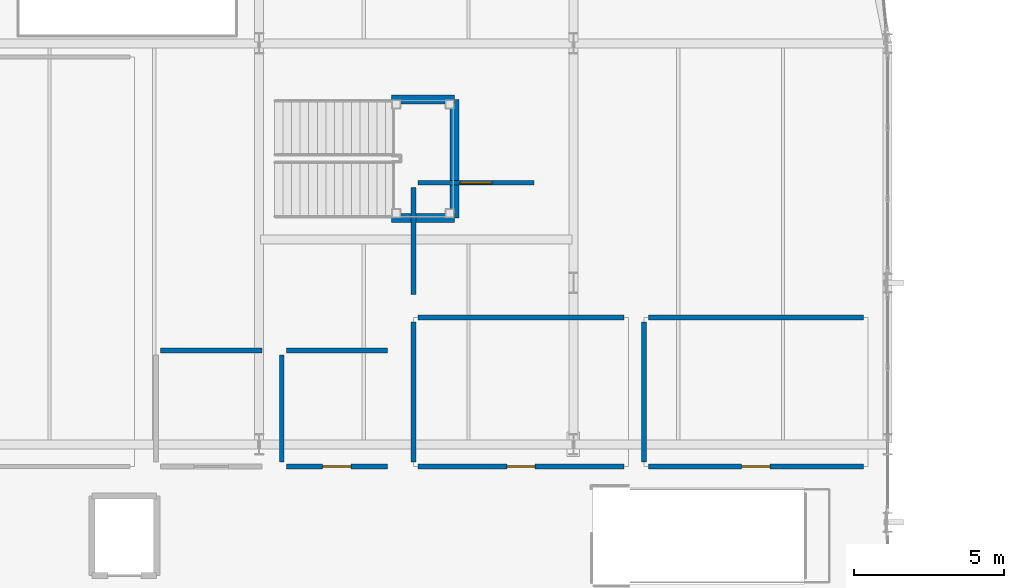
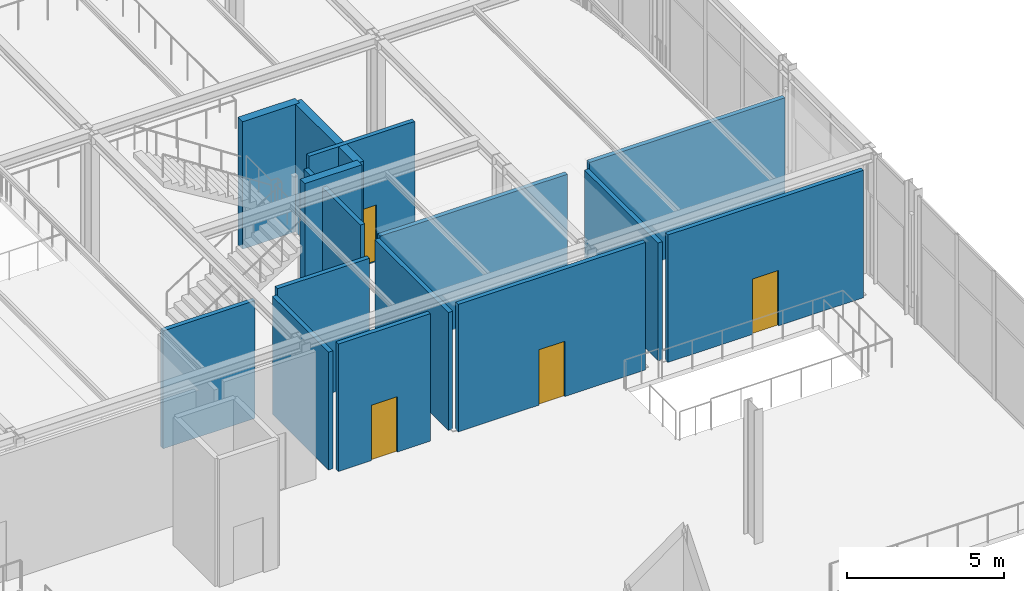
# One storey, part 112 of 195: 15 walls, 4 doors, 4 openings.
"""IFC4 building model written with IfcOpenShell, lengths in metres."""

from ifc_helpers import new_model, si_unit, direction, frame, frame_2d, origin, place, context, subcontext, project, spatial, rectangle, extrude, material, layer, layer_set, type_object, element, fill, save


model = new_model("IFC4")

# Units and contexts
model_context = context("Model", 3, precision=1e-05, world=origin(), true_north=direction((0.0, 1.0)))
body_context = subcontext(model_context, "Body", "Model", "MODEL_VIEW")
ifc_project = project(units=[si_unit("LENGTHUNIT", "METRE"), si_unit("AREAUNIT", "SQUARE_METRE"), si_unit("VOLUMEUNIT", "CUBIC_METRE"), si_unit("PLANEANGLEUNIT", "RADIAN"), si_unit("MASSUNIT", "GRAM", prefix="KILO")], contexts=[model_context])

# Site, building, storey
site_placement = place(None, origin())
site = spatial("IfcSite", under=ifc_project, at=site_placement, CompositionType="ELEMENT")
building_placement = place(site_placement, origin())
building = spatial("IfcBuilding", under=site, at=building_placement, Name="Marlcrest Central Station", CompositionType="ELEMENT")
storey_placement = place(building_placement, frame((0.0, 0.0, 9.800048828125)))
storey = spatial("IfcBuildingStorey", under=building, at=storey_placement, Name="L02", CompositionType="ELEMENT", Elevation=9.800048828125)

# Wall
ifc_material_1 = material(Name="Moisture-resistant tiled sanitary partition")
ifc_layer_1 = layer(ifc_material_1, 0.159912109375, Name="PT-03")
ifc_layer_set_1 = layer_set([ifc_layer_1], Name="Moisture-resistant tiled sanitary partition")
wall_type_1 = type_object("IfcWallType", Name="PT-03", PredefinedType="PARTITIONING", material=ifc_layer_set_1)
wall_1_placement = place(storey_placement, frame((104.7099609375, 100.239990234375, 0.0), z_axis=(0.0, 0.0, 1.0), x_axis=(1.0, 0.0, 0.0)))
element("IfcWall", 1, at=wall_1_placement, inside=storey, type_object=wall_type_1, Name="iwall-L02-00122", PredefinedType="PARTITIONING", context=body_context, shape_type="SweptSolid", body=[
    extrude(rectangle(XDim=3.380126953125, YDim=0.159912109375, at=frame_2d((1.68994140625, 0.0))), origin(), (0.0, 0.0, 1.0), 4.574951171875),
])

# Wall, opening, door
wall_2_placement = place(storey_placement, frame((112.2900390625, 96.360107421875, 0.0), z_axis=(0.0, 0.0, 1.0), x_axis=(-1.0, 0.0, 0.0)))
wall_2 = element("IfcWall", 2, at=wall_2_placement, inside=storey, type_object=wall_type_1, Name="iwall-L02-00123", PredefinedType="PARTITIONING", context=body_context, shape_type="SweptSolid", body=[
    extrude(rectangle(XDim=3.380126953125, YDim=0.159912109375, at=frame_2d((1.68994140625, 0.0))), origin(), (0.0, 0.0, 1.0), 4.949951171875),
])
opening_1_placement = place(wall_2_placement, frame((1.215087890625, 0.0, 0.0)))
opening_1 = element("IfcOpeningElement", 3, at=opening_1_placement, cuts=wall_2, Name="Opening ID-01", PredefinedType="OPENING", context=body_context, shape_type="SweptSolid", body=[
    extrude(rectangle(XDim=0.949951171875, YDim=2.14990234375, at=frame_2d((0.47509765625, 1.074951171875))), frame((0.0, 0.08984375, 0.0), z_axis=(0.0, -1.0, 0.0), x_axis=(1.0, 0.0, 0.0)), (0.0, 0.0, 1.0), 0.179931640625),
])
ifc_material_2 = material(Name="Solid-core hardwood acoustic door", Category="wood")
door_type_1 = type_object("IfcDoorType", Name="ID-01", OperationType="NOTDEFINED", PredefinedType="DOOR", material=ifc_material_2)
door_1_placement = place(opening_1_placement, origin())
door_1 = element("IfcDoor", 4, at=door_1_placement, inside=storey, type_object=door_type_1, Name="L02-FAM 0072", OperationType="SINGLE_SWING_LEFT", OverallHeight=2.14990234375, OverallWidth=0.949951171875, PredefinedType="DOOR", context=body_context, shape_type="SweptSolid", body=[
    extrude(rectangle(XDim=0.949951171875, YDim=2.14990234375, at=frame_2d((0.47509765625, 1.074951171875))), frame((0.0, 0.02490234375, 0.0), z_axis=(0.0, -1.0, 0.0), x_axis=(1.0, 0.0, 0.0)), (0.0, 0.0, 1.0), 0.050048828125),
])
fill(opening_1, door_1)

# Walls
wall_3_placement = place(storey_placement, frame((108.760009765625, 96.510009765625, 0.0), z_axis=(0.0, 0.0, 1.0), x_axis=(0.0, 1.0, 0.0)))
element("IfcWall", 5, at=wall_3_placement, inside=storey, type_object=wall_type_1, Name="iwall-L02-00124", PredefinedType="PARTITIONING", context=body_context, shape_type="SweptSolid", body=[
    extrude(rectangle(XDim=3.580078125, YDim=0.159912109375, at=frame_2d((1.7900390625, 0.0))), origin(), (0.0, 0.0, 1.0), 4.574951171875),
])
wall_4_placement = place(storey_placement, frame((108.909912109375, 100.239990234375, 0.0), z_axis=(0.0, 0.0, 1.0), x_axis=(1.0, 0.0, 0.0)))
element("IfcWall", 6, at=wall_4_placement, inside=storey, type_object=wall_type_1, Name="iwall-L02-00125", PredefinedType="PARTITIONING", context=body_context, shape_type="SweptSolid", body=[
    extrude(rectangle(XDim=3.380126953125, YDim=0.159912109375, at=frame_2d((1.68994140625, 0.0))), origin(), (0.0, 0.0, 1.0), 4.744873046875),
])

# Wall, opening, door
wall_5_placement = place(storey_placement, frame((120.18994140625, 96.360107421875, 0.0), z_axis=(0.0, 0.0, 1.0), x_axis=(-1.0, 0.0, 0.0)))
wall_5 = element("IfcWall", 7, at=wall_5_placement, inside=storey, type_object=wall_type_1, Name="iwall-L02-00126", PredefinedType="PARTITIONING", context=body_context, shape_type="SweptSolid", body=[
    extrude(rectangle(XDim=6.8798828125, YDim=0.159912109375, at=frame_2d((3.43994140625, 0.0))), origin(), (0.0, 0.0, 1.0), 4.949951171875),
])
opening_2_placement = place(wall_5_placement, frame((2.965087890625, 0.0, 0.0)))
opening_2 = element("IfcOpeningElement", 8, at=opening_2_placement, cuts=wall_5, Name="Opening ID-01", PredefinedType="OPENING", context=body_context, shape_type="SweptSolid", body=[
    extrude(rectangle(XDim=0.949951171875, YDim=2.14990234375, at=frame_2d((0.47509765625, 1.074951171875))), frame((0.0, 0.08984375, 0.0), z_axis=(0.0, -1.0, 0.0), x_axis=(1.0, 0.0, 0.0)), (0.0, 0.0, 1.0), 0.179931640625),
])
door_2_placement = place(opening_2_placement, origin())
door_2 = element("IfcDoor", 9, at=door_2_placement, inside=storey, type_object=door_type_1, Name="L02-WC-C1 0073", OperationType="SINGLE_SWING_RIGHT", OverallHeight=2.14990234375, OverallWidth=0.949951171875, PredefinedType="DOOR", context=body_context, shape_type="SweptSolid", body=[
    extrude(rectangle(XDim=0.949951171875, YDim=2.14990234375, at=frame_2d((0.47509765625, 1.074951171875))), frame((0.0, 0.02490234375, 0.0), z_axis=(0.0, -1.0, 0.0), x_axis=(1.0, 0.0, 0.0)), (0.0, 0.0, 1.0), 0.050048828125),
])
fill(opening_2, door_2)

# Walls
wall_6_placement = place(storey_placement, frame((113.159912109375, 96.510009765625, 0.0), z_axis=(0.0, 0.0, 1.0), x_axis=(0.0, 1.0, 0.0)))
element("IfcWall", 10, at=wall_6_placement, inside=storey, type_object=wall_type_1, Name="iwall-L02-00127", PredefinedType="PARTITIONING", context=body_context, shape_type="SweptSolid", body=[
    extrude(rectangle(XDim=4.679931640625, YDim=0.159912109375, at=frame_2d((2.33984375, 0.0))), origin(), (0.0, 0.0, 1.0), 4.574951171875),
])
wall_7_placement = place(storey_placement, frame((113.31005859375, 101.340087890625, 0.0), z_axis=(0.0, 0.0, 1.0), x_axis=(1.0, 0.0, 0.0)))
element("IfcWall", 11, at=wall_7_placement, inside=storey, type_object=wall_type_1, Name="iwall-L02-00128", PredefinedType="PARTITIONING", context=body_context, shape_type="SweptSolid", body=[
    extrude(rectangle(XDim=6.8798828125, YDim=0.159912109375, at=frame_2d((3.43994140625, 0.0))), origin(), (0.0, 0.0, 1.0), 4.574951171875),
])

# Wall, opening, door
wall_8_placement = place(storey_placement, frame((128.18994140625, 96.360107421875, 0.0), z_axis=(0.0, 0.0, 1.0), x_axis=(-1.0, 0.0, 0.0)))
wall_8 = element("IfcWall", 12, at=wall_8_placement, inside=storey, type_object=wall_type_1, Name="iwall-L02-00129", PredefinedType="PARTITIONING", context=body_context, shape_type="SweptSolid", body=[
    extrude(rectangle(XDim=7.179931640625, YDim=0.159912109375, at=frame_2d((3.58984375, 0.0))), origin(), (0.0, 0.0, 1.0), 4.949951171875),
])
opening_3_placement = place(wall_8_placement, frame((3.114990234375, 0.0, 0.0)))
opening_3 = element("IfcOpeningElement", 13, at=opening_3_placement, cuts=wall_8, Name="Opening ID-01", PredefinedType="OPENING", context=body_context, shape_type="SweptSolid", body=[
    extrude(rectangle(XDim=0.949951171875, YDim=2.14990234375, at=frame_2d((0.47509765625, 1.074951171875))), frame((0.0, 0.08984375, 0.0), z_axis=(0.0, -1.0, 0.0), x_axis=(1.0, 0.0, 0.0)), (0.0, 0.0, 1.0), 0.179931640625),
])
door_3_placement = place(opening_3_placement, origin())
door_3 = element("IfcDoor", 14, at=door_3_placement, inside=storey, type_object=door_type_1, Name="L02-WC-C2 0074", OperationType="SINGLE_SWING_LEFT", OverallHeight=2.14990234375, OverallWidth=0.949951171875, PredefinedType="DOOR", context=body_context, shape_type="SweptSolid", body=[
    extrude(rectangle(XDim=0.949951171875, YDim=2.14990234375, at=frame_2d((0.47509765625, 1.074951171875))), frame((0.0, 0.02490234375, 0.0), z_axis=(0.0, -1.0, 0.0), x_axis=(1.0, 0.0, 0.0)), (0.0, 0.0, 1.0), 0.050048828125),
])
fill(opening_3, door_3)

# Walls
wall_9_placement = place(storey_placement, frame((120.860107421875, 96.510009765625, 0.0), z_axis=(0.0, 0.0, 1.0), x_axis=(0.0, 1.0, 0.0)))
element("IfcWall", 15, at=wall_9_placement, inside=storey, type_object=wall_type_1, Name="iwall-L02-00130", PredefinedType="PARTITIONING", context=body_context, shape_type="SweptSolid", body=[
    extrude(rectangle(XDim=4.679931640625, YDim=0.159912109375, at=frame_2d((2.33984375, 0.0))), origin(), (0.0, 0.0, 1.0), 4.574951171875),
])
wall_10_placement = place(storey_placement, frame((121.010009765625, 101.340087890625, 0.0), z_axis=(0.0, 0.0, 1.0), x_axis=(1.0, 0.0, 0.0)))
element("IfcWall", 16, at=wall_10_placement, inside=storey, type_object=wall_type_1, Name="iwall-L02-00131", PredefinedType="PARTITIONING", context=body_context, shape_type="SweptSolid", body=[
    extrude(rectangle(XDim=7.179931640625, YDim=0.159912109375, at=frame_2d((3.58984375, 0.0))), origin(), (0.0, 0.0, 1.0), 4.744873046875),
])

# Wall, opening, door
wall_11_placement = place(storey_placement, frame((113.31005859375, 105.840087890625, 0.0), z_axis=(0.0, 0.0, 1.0), x_axis=(1.0, 0.0, 0.0)))
wall_11 = element("IfcWall", 17, at=wall_11_placement, inside=storey, type_object=wall_type_1, Name="iwall-L02-00132", PredefinedType="PARTITIONING", context=body_context, shape_type="SweptSolid", body=[
    extrude(rectangle(XDim=3.8798828125, YDim=0.159912109375, at=frame_2d((1.93994140625, 0.0))), origin(), (0.0, 0.0, 1.0), 4.949951171875),
])
opening_4_placement = place(wall_11_placement, frame((1.4150390625, 0.0, 0.0)))
opening_4 = element("IfcOpeningElement", 18, at=opening_4_placement, cuts=wall_11, Name="Opening ID-03", PredefinedType="OPENING", context=body_context, shape_type="SweptSolid", body=[
    extrude(rectangle(XDim=1.050048828125, YDim=2.199951171875, at=frame_2d((0.52490234375, 1.10009765625))), frame((0.0, 0.08984375, 0.0), z_axis=(0.0, -1.0, 0.0), x_axis=(1.0, 0.0, 0.0)), (0.0, 0.0, 1.0), 0.179931640625),
])
ifc_material_3 = material(Name="Accessible sanitary outward-opening door")
door_type_2 = type_object("IfcDoorType", Name="ID-03", OperationType="NOTDEFINED", PredefinedType="DOOR", material=ifc_material_3)
door_4_placement = place(opening_4_placement, origin())
door_4 = element("IfcDoor", 19, at=door_4_placement, inside=storey, type_object=door_type_2, Name="L02-WC-CA 0075", OperationType="SINGLE_SWING_RIGHT", OverallHeight=2.199951171875, OverallWidth=1.050048828125, PredefinedType="DOOR", context=body_context, shape_type="SweptSolid", body=[
    extrude(rectangle(XDim=1.050048828125, YDim=2.199951171875, at=frame_2d((0.52490234375, 1.10009765625))), frame((0.0, 0.02490234375, 0.0), z_axis=(0.0, -1.0, 0.0), x_axis=(1.0, 0.0, 0.0)), (0.0, 0.0, 1.0), 0.050048828125),
])
fill(opening_4, door_4)

# Walls
wall_12_placement = place(storey_placement, frame((113.159912109375, 102.110107421875, 0.0), z_axis=(0.0, 0.0, 1.0), x_axis=(0.0, 1.0, 0.0)))
element("IfcWall", 20, at=wall_12_placement, inside=storey, type_object=wall_type_1, Name="iwall-L02-00133", PredefinedType="PARTITIONING", context=body_context, shape_type="SweptSolid", body=[
    extrude(rectangle(XDim=3.579833984375, YDim=0.159912109375, at=frame_2d((1.7900390625, 0.0))), origin(), (0.0, 0.0, 1.0), 4.574951171875),
])
ifc_material_4 = material(Name="Concrete C50/60", Category="concrete")
ifc_layer_2 = layer(ifc_material_4, 0.300048828125, Name="SW-02")
ifc_layer_set_2 = layer_set([ifc_layer_2], Name="Concrete C50/60")
wall_type_2 = type_object("IfcWallType", Name="SW-02", PredefinedType="SHEAR", material=ifc_layer_set_2)
wall_13_placement = place(storey_placement, frame((112.429931640625, 104.669921875, 0.0), z_axis=(0.0, 0.0, 1.0), x_axis=(1.0, 0.0, 0.0)))
element("IfcWall", 21, at=wall_13_placement, inside=storey, type_object=wall_type_2, Name="htsw-0036-S", PredefinedType="SHEAR", context=body_context, shape_type="SweptSolid", body=[
    extrude(rectangle(XDim=2.10009765625, YDim=0.300048828125, at=frame_2d((1.050048828125, 0.0))), origin(), (0.0, 0.0, 1.0), 4.949951171875),
])
wall_14_placement = place(storey_placement, frame((114.530029296875, 104.669921875, 0.0), z_axis=(0.0, 0.0, 1.0), x_axis=(0.0, 1.0, 0.0)))
element("IfcWall", 22, at=wall_14_placement, inside=storey, type_object=wall_type_2, Name="htsw-0036-E", PredefinedType="SHEAR", context=body_context, shape_type="SweptSolid", body=[
    extrude(rectangle(XDim=3.9599609375, YDim=0.300048828125, at=frame_2d((1.97998046875, 0.0))), origin(), (0.0, 0.0, 1.0), 4.949951171875),
])
wall_15_placement = place(storey_placement, frame((114.530029296875, 108.6298828125, 0.0), z_axis=(0.0, 0.0, 1.0), x_axis=(-1.0, 0.0, 0.0)))
element("IfcWall", 23, at=wall_15_placement, inside=storey, type_object=wall_type_2, Name="htsw-0036-N", PredefinedType="SHEAR", context=body_context, shape_type="SweptSolid", body=[
    extrude(rectangle(XDim=2.10009765625, YDim=0.300048828125, at=frame_2d((1.050048828125, 0.0))), origin(), (0.0, 0.0, 1.0), 4.949951171875),
])

save(model, "model.ifc")
